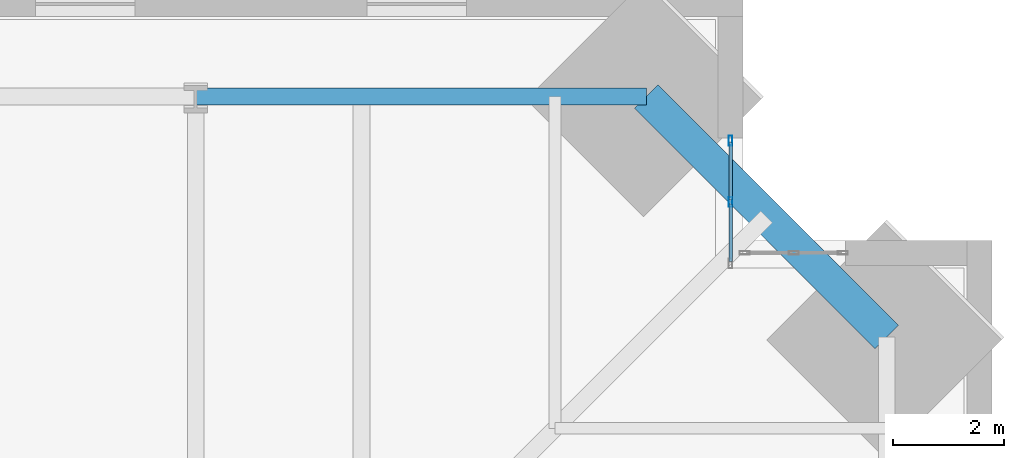
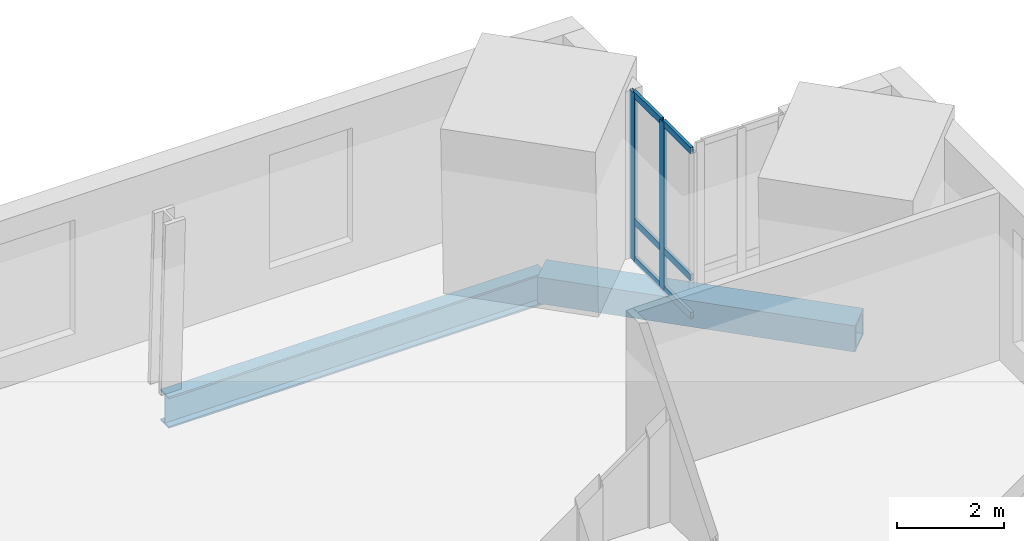
# One storey, part 10 of 17: 8 members, 2 beams, 1 element without a shape of its own.
"""IFC4 building model written with IfcOpenShell, lengths in metres."""

from ifc_helpers import new_model, si_unit, direction, frame, origin, origin_2d, place, context, subcontext, project, spatial, hollow_rectangle, i_section, extrude, material, material_profile, profile_set, type_object, element, aggregate, save


model = new_model("IFC4")

# Units and contexts
model_context = context("Model", 3, precision=1e-05, world=origin(), true_north=direction((0.0, 1.0)))
body_context = subcontext(model_context, "Body", "Model", "MODEL_VIEW")
ifc_project = project(units=[si_unit("LENGTHUNIT", "METRE"), si_unit("AREAUNIT", "SQUARE_METRE"), si_unit("VOLUMEUNIT", "CUBIC_METRE"), si_unit("PLANEANGLEUNIT", "RADIAN"), si_unit("MASSUNIT", "GRAM", prefix="KILO")], contexts=[model_context])

# Site, building, storey
site_placement = place(None, origin())
site = spatial("IfcSite", under=ifc_project, at=site_placement, CompositionType="ELEMENT")
building_placement = place(site_placement, origin())
building = spatial("IfcBuilding", under=site, at=building_placement, Name="Peilmerk Tower", CompositionType="ELEMENT")
storey_placement = place(building_placement, frame((0.0, 0.0, 257.800048828125)))
storey = spatial("IfcBuildingStorey", under=building, at=storey_placement, Name="L57", CompositionType="ELEMENT", Elevation=257.800048828125)

# Beams
ifc_material_1 = material(Name="Steel S460", Category="steel")
ifc_material_profile_1 = material_profile(ifc_material_1, hollow_rectangle(XDim=0.60009765625, YDim=0.60009765625, WallThickness=0.06005859375, at=origin_2d()), Name="BOX 600x600x60")
ifc_profile_set_1 = profile_set([ifc_material_profile_1], Name="Steel S460")
beam_type_1 = type_object("IfcBeamType", Name="B20 BOX 600x600x60 notch beam", PredefinedType="SPANDREL", material=ifc_profile_set_1)
beam_1_placement = place(storey_placement, frame((16.151611328125, 20.501708984375, -0.469970703125), z_axis=(0.707106781187, -0.707106781187, 0.0), x_axis=(0.707106781187, 0.707106781187, 0.0)))
element("IfcBeam", 1, at=beam_1_placement, inside=storey, type_object=beam_type_1, Name="Notch beam L57", PredefinedType="SPANDREL", context=body_context, shape_type="SweptSolid", body=[
    extrude(hollow_rectangle(XDim=0.60009765625, YDim=0.60009765625, WallThickness=0.06005859375, at=origin_2d()), origin(), (0.0, 0.0, 1.0), 6.15185546875),
])
ifc_material_2 = material(Name="Steel S355", Category="steel")
ifc_material_profile_2 = material_profile(ifc_material_2, i_section(OverallWidth=0.303955078125, OverallDepth=0.716064453125, WebThickness=0.02099609375, FlangeThickness=0.0400390625, at=origin_2d()), Name="HEM 700")
ifc_profile_set_2 = profile_set([ifc_material_profile_2], Name="Steel S355")
beam_type_2 = type_object("IfcBeamType", Name="B30 HEM 700 edge beam", PredefinedType="SPANDREL", material=ifc_profile_set_2)
beam_2_placement = place(storey_placement, frame((16.151611328125, 20.501708984375, -0.528076171875), z_axis=(-1.0, 0.0, 0.0), x_axis=(0.0, -1.0, 0.0)))
element("IfcBeam", 2, at=beam_2_placement, inside=storey, type_object=beam_type_2, Name="Edge beam L57", PredefinedType="SPANDREL", context=body_context, shape_type="SweptSolid", body=[
    extrude(i_section(OverallWidth=0.303955078125, OverallDepth=0.716064453125, WebThickness=0.02099609375, FlangeThickness=0.0400390625, at=origin_2d()), origin(), (0.0, 0.0, 1.0), 8.151611328125),
])

# Curtain wall, members
ifc_material_3 = material(Name="Aluminium stick curtain wall", Category="aluminium")
curtain_wall_type = type_object("IfcCurtainWallType", Name="CW4 stick curtain wall, 2250 module", PredefinedType="NOTDEFINED", material=ifc_material_3)
curtain_wall_placement = place(storey_placement, origin())
curtain_wall = element("IfcCurtainWall", 3, at=curtain_wall_placement, inside=storey, type_object=curtain_wall_type, Name="Curtain wall CW4 NEA L57", PredefinedType="NOTDEFINED")
ifc_material_4 = material(Name="Aluminium EN AW-6063 T6", Category="aluminium")
ifc_material_profile_3 = material_profile(ifc_material_4, hollow_rectangle(XDim=0.06494140625, YDim=0.179931640625, WallThickness=0.0029296875, at=origin_2d()), Name="AL 180x65x3")
ifc_profile_set_3 = profile_set([ifc_material_profile_3], Name="Aluminium EN AW-6063 T6")
member_type_1 = type_object("IfcMemberType", Name="CW4-M AL 180x65x3 mullion", PredefinedType="MULLION", material=ifc_profile_set_3)
member_1_placement = place(storey_placement, frame((17.675048828125, 18.59423828125, 0.0), z_axis=(0.0, 0.0, 1.0), x_axis=(-1.0, 0.0, 0.0)))
member_1 = element("IfcMember", 4, at=member_1_placement, type_object=member_type_1, Name="CW4 mullion 2", PredefinedType="MULLION", context=body_context, shape_type="SweptSolid", body=[
    extrude(hollow_rectangle(XDim=0.06494140625, YDim=0.179931640625, WallThickness=0.0029296875, at=origin_2d()), origin(), (0.0, 0.0, 1.0), 3.829833984375),
])
member_2_placement = place(storey_placement, frame((17.675048828125, 19.706298828125, 0.0), z_axis=(0.0, 0.0, 1.0), x_axis=(-1.0, 0.0, 0.0)))
member_2 = element("IfcMember", 5, at=member_2_placement, type_object=member_type_1, Name="CW4 mullion 3", PredefinedType="MULLION", context=body_context, shape_type="SweptSolid", body=[
    extrude(hollow_rectangle(XDim=0.06494140625, YDim=0.179931640625, WallThickness=0.0029296875, at=origin_2d()), origin(), (0.0, 0.0, 1.0), 3.829833984375),
])
ifc_material_profile_4 = material_profile(ifc_material_4, hollow_rectangle(XDim=0.06494140625, YDim=0.14990234375, WallThickness=0.0029296875, at=origin_2d()), Name="AL 150x65x3")
ifc_profile_set_4 = profile_set([ifc_material_profile_4], Name="Aluminium EN AW-6063 T6")
member_type_2 = type_object("IfcMemberType", Name="CW4-T AL 150x65x3 transom", PredefinedType="USERDEFINED", material=ifc_profile_set_4)
member_3_placement = place(storey_placement, frame((17.675048828125, 17.514892578125, 0.032470703125), z_axis=(0.0, 1.0, 0.0), x_axis=(-1.0, 0.0, 0.0)))
member_3 = element("IfcMember", 6, at=member_3_placement, type_object=member_type_2, Name="CW4 transom 1.1", ObjectType="TRANSOM", PredefinedType="USERDEFINED", context=body_context, shape_type="SweptSolid", body=[
    extrude(hollow_rectangle(XDim=0.06494140625, YDim=0.14990234375, WallThickness=0.0029296875, at=origin_2d()), origin(), (0.0, 0.0, 1.0), 1.046875),
])
member_4_placement = place(storey_placement, frame((17.675048828125, 17.514892578125, 0.89990234375), z_axis=(0.0, 1.0, 0.0), x_axis=(-1.0, 0.0, 0.0)))
member_4 = element("IfcMember", 7, at=member_4_placement, type_object=member_type_2, Name="CW4 transom 1.2", ObjectType="TRANSOM", PredefinedType="USERDEFINED", context=body_context, shape_type="SweptSolid", body=[
    extrude(hollow_rectangle(XDim=0.06494140625, YDim=0.14990234375, WallThickness=0.0029296875, at=origin_2d()), origin(), (0.0, 0.0, 1.0), 1.046875),
])
member_5_placement = place(storey_placement, frame((17.675048828125, 17.514892578125, 3.79736328125), z_axis=(0.0, 1.0, 0.0), x_axis=(-1.0, 0.0, 0.0)))
member_5 = element("IfcMember", 8, at=member_5_placement, type_object=member_type_2, Name="CW4 transom 1.3", ObjectType="TRANSOM", PredefinedType="USERDEFINED", context=body_context, shape_type="SweptSolid", body=[
    extrude(hollow_rectangle(XDim=0.06494140625, YDim=0.14990234375, WallThickness=0.0029296875, at=origin_2d()), origin(), (0.0, 0.0, 1.0), 1.046875),
])
member_6_placement = place(storey_placement, frame((17.675048828125, 18.626953125, 0.032470703125), z_axis=(0.0, 1.0, 0.0), x_axis=(-1.0, 0.0, 0.0)))
member_6 = element("IfcMember", 9, at=member_6_placement, type_object=member_type_2, Name="CW4 transom 2.1", ObjectType="TRANSOM", PredefinedType="USERDEFINED", context=body_context, shape_type="SweptSolid", body=[
    extrude(hollow_rectangle(XDim=0.06494140625, YDim=0.14990234375, WallThickness=0.0029296875, at=origin_2d()), origin(), (0.0, 0.0, 1.0), 1.046630859375),
])
member_7_placement = place(storey_placement, frame((17.675048828125, 18.626953125, 0.89990234375), z_axis=(0.0, 1.0, 0.0), x_axis=(-1.0, 0.0, 0.0)))
member_7 = element("IfcMember", 10, at=member_7_placement, type_object=member_type_2, Name="CW4 transom 2.2", ObjectType="TRANSOM", PredefinedType="USERDEFINED", context=body_context, shape_type="SweptSolid", body=[
    extrude(hollow_rectangle(XDim=0.06494140625, YDim=0.14990234375, WallThickness=0.0029296875, at=origin_2d()), origin(), (0.0, 0.0, 1.0), 1.046630859375),
])
member_8_placement = place(storey_placement, frame((17.675048828125, 18.626953125, 3.79736328125), z_axis=(0.0, 1.0, 0.0), x_axis=(-1.0, 0.0, 0.0)))
member_8 = element("IfcMember", 11, at=member_8_placement, type_object=member_type_2, Name="CW4 transom 2.3", ObjectType="TRANSOM", PredefinedType="USERDEFINED", context=body_context, shape_type="SweptSolid", body=[
    extrude(hollow_rectangle(XDim=0.06494140625, YDim=0.14990234375, WallThickness=0.0029296875, at=origin_2d()), origin(), (0.0, 0.0, 1.0), 1.046630859375),
])
aggregate(curtain_wall, [member_1, member_2, member_3, member_4, member_5, member_6, member_7, member_8])

save(model, "model.ifc")
